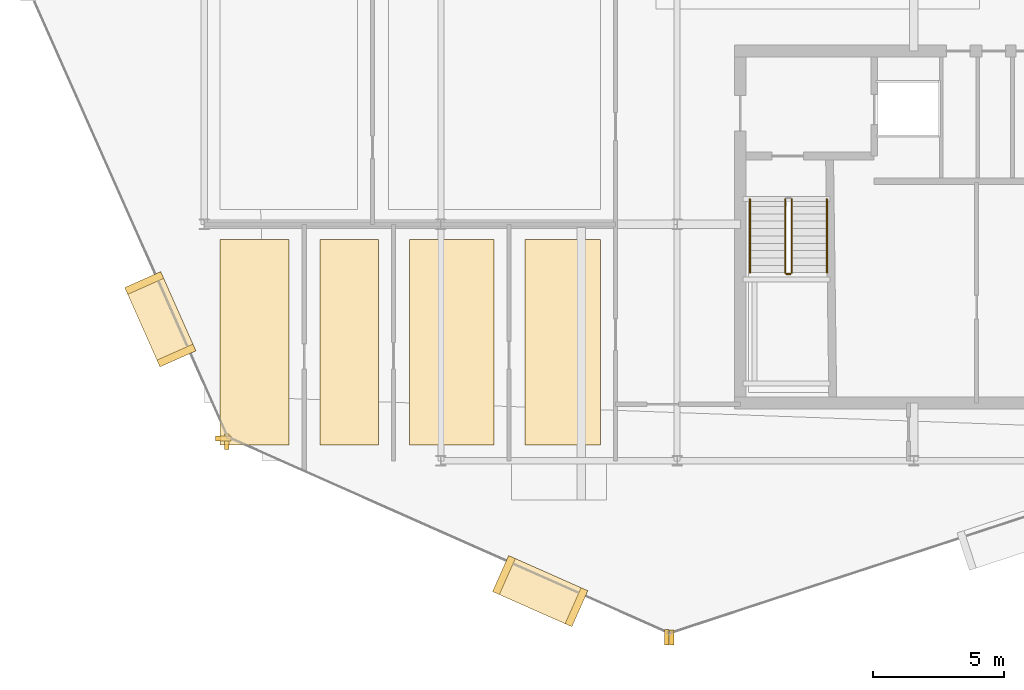
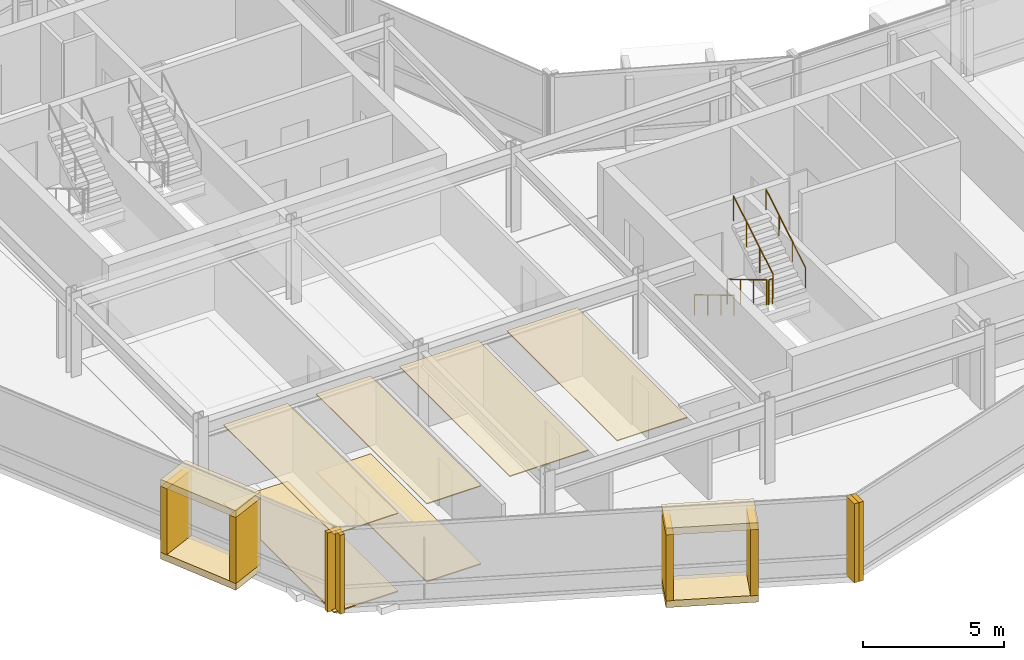
# One storey, part 22 of 27: 18 coverings, 5 railings.
"""IFC4 building model written with IfcOpenShell, lengths in metres."""

from ifc_helpers import new_model, si_unit, direction, frame, origin, origin_2d, place, context, subcontext, project, spatial, polyline, rectangle, circle, outline, extrude, material, layer, layer_set, type_object, element, save


model = new_model("IFC4")

# Units and contexts
model_context = context("Model", 3, precision=1e-05, world=origin(), true_north=direction((0.0, 1.0)))
body_context = subcontext(model_context, "Body", "Model", "MODEL_VIEW")
ifc_project = project(units=[si_unit("LENGTHUNIT", "METRE"), si_unit("AREAUNIT", "SQUARE_METRE"), si_unit("VOLUMEUNIT", "CUBIC_METRE"), si_unit("PLANEANGLEUNIT", "RADIAN"), si_unit("MASSUNIT", "GRAM", prefix="KILO")], contexts=[model_context])

# Site, building, storey
site_placement = place(None, origin())
site = spatial("IfcSite", under=ifc_project, at=site_placement, CompositionType="ELEMENT")
building_placement = place(site_placement, origin())
building = spatial("IfcBuilding", under=site, at=building_placement, Name="Solvaryn Broadcast Tower", CompositionType="ELEMENT")
storey_placement = place(building_placement, frame((0.0, 0.0, 228.39990234375)))
storey = spatial("IfcBuildingStorey", under=building, at=storey_placement, Name="L57", CompositionType="ELEMENT", Elevation=228.39990234375)

# Coverings
ifc_material_1 = material(Name="Micro-Perforated Acoustic Gypsum Ceiling", Category="concrete")
ifc_layer_1 = layer(ifc_material_1, 0.0400390625)
ifc_layer_set_1 = layer_set([ifc_layer_1], Name="CV-CEIL-ACOUSTIC")
covering_type_1 = type_object("IfcCoveringType", Name="CV-CEIL-ACOUSTIC", PredefinedType="CEILING", material=ifc_layer_set_1)
covering_1_placement = place(storey_placement, frame((0.0, 0.0, 3.380126953125)))
element("IfcCovering", 1, at=covering_1_placement, inside=storey, type_object=covering_type_1, Name="L57 Room Acoustic Ceiling 3", PredefinedType="CEILING", context=body_context, shape_type="SweptSolid", body=[
    extrude(outline(polyline([(9.60009765625, 9.60009765625), (12.22998046875, 9.60009765625), (12.22998046875, 17.429931640625), (9.60009765625, 17.429931640625), (9.60009765625, 9.60009765625)])), origin(), (0.0, 0.0, 1.0), 0.0400390625),
])
covering_2_placement = place(storey_placement, frame((0.0, 0.0, 3.380126953125)))
element("IfcCovering", 2, at=covering_2_placement, inside=storey, type_object=covering_type_1, Name="L57 Room Acoustic Ceiling 4", PredefinedType="CEILING", context=body_context, shape_type="SweptSolid", body=[
    extrude(outline(polyline([(13.39990234375, 9.60009765625), (15.6298828125, 9.60009765625), (15.6298828125, 17.429931640625), (13.39990234375, 17.429931640625), (13.39990234375, 9.60009765625)])), origin(), (0.0, 0.0, 1.0), 0.0400390625),
])
covering_3_placement = place(storey_placement, frame((0.0, 0.0, 3.380126953125)))
element("IfcCovering", 3, at=covering_3_placement, inside=storey, type_object=covering_type_1, Name="L57 Room Acoustic Ceiling 5", PredefinedType="CEILING", context=body_context, shape_type="SweptSolid", body=[
    extrude(outline(polyline([(16.800048828125, 9.60009765625), (20.030029296875, 9.60009765625), (20.030029296875, 17.429931640625), (16.800048828125, 17.429931640625), (16.800048828125, 9.60009765625)])), origin(), (0.0, 0.0, 1.0), 0.0400390625),
])
covering_4_placement = place(storey_placement, frame((0.0, 0.0, 3.380126953125)))
element("IfcCovering", 4, at=covering_4_placement, inside=storey, type_object=covering_type_1, Name="L57 Room Acoustic Ceiling 6", PredefinedType="CEILING", context=body_context, shape_type="SweptSolid", body=[
    extrude(outline(polyline([(21.199951171875, 9.60009765625), (24.080078125, 9.60009765625), (24.080078125, 17.429931640625), (21.199951171875, 17.429931640625), (21.199951171875, 9.60009765625)])), origin(), (0.0, 0.0, 1.0), 0.0400390625),
])
ifc_material_2 = material(Name="Newsroom Raised Data Access Flooring", Category="steel")
ifc_layer_2 = layer(ifc_material_2, 0.050048828125)
ifc_layer_set_2 = layer_set([ifc_layer_2], Name="CV-FLOOR-RAISED")
covering_type_2 = type_object("IfcCoveringType", Name="CV-FLOOR-RAISED", PredefinedType="FLOORING", material=ifc_layer_set_2)
covering_5_placement = place(storey_placement, origin())
element("IfcCovering", 5, at=covering_5_placement, inside=storey, type_object=covering_type_2, Name="L57 Room Acoustic Floor Finish 3", PredefinedType="FLOORING", context=body_context, shape_type="SweptSolid", body=[
    extrude(outline(polyline([(9.60009765625, 9.60009765625), (12.22998046875, 9.60009765625), (12.22998046875, 17.429931640625), (9.60009765625, 17.429931640625), (9.60009765625, 9.60009765625)])), origin(), (0.0, 0.0, 1.0), 0.050048828125),
])
covering_6_placement = place(storey_placement, origin())
element("IfcCovering", 6, at=covering_6_placement, inside=storey, type_object=covering_type_2, Name="L57 Room Acoustic Floor Finish 4", PredefinedType="FLOORING", context=body_context, shape_type="SweptSolid", body=[
    extrude(outline(polyline([(13.39990234375, 9.60009765625), (15.6298828125, 9.60009765625), (15.6298828125, 17.429931640625), (13.39990234375, 17.429931640625), (13.39990234375, 9.60009765625)])), origin(), (0.0, 0.0, 1.0), 0.050048828125),
])
ifc_material_3 = material(Name="Glazed Architectural Terracotta Rainscreen Cladding", Category="masonry")
ifc_layer_3 = layer(ifc_material_3, 0.280029296875)
ifc_layer_set_3 = layer_set([ifc_layer_3], Name="CV-TC-CLAD")
covering_type_3 = type_object("IfcCoveringType", Name="CV-TC-CLAD", PredefinedType="CLADDING", material=ifc_layer_set_3)
for number, where, z_axis, x_axis, name in (
    (7, (7.322998046875, 14.388916015625, 3.1298828125), (0.0, 0.0, 1.0), (0.405939269498, -0.913900054426, 0.0), "L57 Projecting Stone Window Box Hood 2"),
    (8, (7.322998046875, 14.388916015625, -0.009765625), (0.0, 0.0, 1.0), (0.405939269498, -0.913900054426, 0.0), "L57 Projecting Stone Window Box Sill 2"),
):
    element("IfcCovering", number, at=place(storey_placement, frame(where, z_axis=z_axis, x_axis=x_axis)), inside=storey, type_object=covering_type_3, Name=name, PredefinedType="CLADDING", context=body_context, shape_type="SweptSolid", body=[
        extrude(rectangle(XDim=3.300048828125, YDim=1.5, at=origin_2d()), origin(), (0.0, 0.0, 1.0), 0.300048828125),
    ])
for number, where, z_axis, x_axis, name in (
    (9, (6.7099609375, 15.76904296875, 0.2802734375), (0.0, 0.0, 1.0), (0.405939269498, -0.913900054426, 0.0), "L57 Projecting Stone Window Box Cheek 2-1"),
    (10, (7.93603515625, 13.009033203125, 0.2802734375), (0.0, 0.0, 1.0), (0.405939269498, -0.913900054426, 0.0), "L57 Projecting Stone Window Box Cheek 2-2"),
):
    element("IfcCovering", number, at=place(storey_placement, frame(where, z_axis=z_axis, x_axis=x_axis)), inside=storey, type_object=covering_type_3, Name=name, PredefinedType="CLADDING", context=body_context, shape_type="SweptSolid", body=[
        extrude(rectangle(XDim=0.280029296875, YDim=1.5, at=origin_2d()), origin(), (0.0, 0.0, 1.0), 2.860107421875),
    ])
for number, where, z_axis, x_axis, name in (
    (11, (21.784912109375, 4.0390625, 3.1298828125), (0.0, 0.0, 1.0), (0.913900054426, -0.405939269498, 0.0), "L57 Projecting Stone Window Box Hood 3"),
    (12, (21.784912109375, 4.0390625, -0.009765625), (0.0, 0.0, 1.0), (0.913900054426, -0.405939269498, 0.0), "L57 Projecting Stone Window Box Sill 3"),
):
    element("IfcCovering", number, at=place(storey_placement, frame(where, z_axis=z_axis, x_axis=x_axis)), inside=storey, type_object=covering_type_3, Name=name, PredefinedType="CLADDING", context=body_context, shape_type="SweptSolid", body=[
        extrude(rectangle(XDim=3.300048828125, YDim=1.5, at=origin_2d()), origin(), (0.0, 0.0, 1.0), 0.300048828125),
    ])
for number, where, z_axis, x_axis, name in (
    (13, (20.405029296875, 4.652099609375, 0.2802734375), (0.0, 0.0, 1.0), (0.913900054426, -0.405939269498, 0.0), "L57 Projecting Stone Window Box Cheek 3-1"),
    (14, (23.1650390625, 3.426025390625, 0.2802734375), (0.0, 0.0, 1.0), (0.913900054426, -0.405939269498, 0.0), "L57 Projecting Stone Window Box Cheek 3-2"),
):
    element("IfcCovering", number, at=place(storey_placement, frame(where, z_axis=z_axis, x_axis=x_axis)), inside=storey, type_object=covering_type_3, Name=name, PredefinedType="CLADDING", context=body_context, shape_type="SweptSolid", body=[
        extrude(rectangle(XDim=0.280029296875, YDim=1.5, at=origin_2d()), origin(), (0.0, 0.0, 1.0), 2.860107421875),
    ])
ifc_material_4 = material(Name="Extruded Architectural Terracotta Fin", Category="masonry")
ifc_layer_4 = layer(ifc_material_4, 0.179931640625)
ifc_layer_set_4 = layer_set([ifc_layer_4], Name="CV-TC-FIN")
covering_type_4 = type_object("IfcCoveringType", Name="CV-TC-FIN", PredefinedType="USERDEFINED", material=ifc_layer_set_4)
covering_7_placement = place(storey_placement, frame((9.7216796875, 9.852783203125, 0.000244140625), z_axis=(0.0, 0.0, 1.0), x_axis=(1.0, 0.0, 0.0)))
element("IfcCovering", 15, at=covering_7_placement, inside=storey, type_object=covering_type_4, Name="L57 Terracotta Vertical Fin FIN-L57-DR2-M01", ObjectType="FIN", PredefinedType="USERDEFINED", context=body_context, shape_type="SweptSolid", body=[
    extrude(rectangle(XDim=0.580078125, YDim=0.179931640625, at=origin_2d()), origin(), (0.0, 0.0, 1.0), 3.419921875),
])
for number, where, z_axis, x_axis, name in (
    (16, (9.852783203125, 9.7216796875, 0.000244140625), (0.0, 0.0, 1.0), (1.0, 0.0, 0.0), "L57 Terracotta Vertical Fin FIN-L57-DR3-M00"),
    (17, (26.605712890625, 2.281005859375, 0.000244140625), (0.0, 0.0, 1.0), (1.0, 0.0, 0.0), "L57 Terracotta Vertical Fin FIN-L57-DR3-M01"),
    (18, (26.790771484375, 2.271240234375, 0.000244140625), (0.0, 0.0, 1.0), (1.0, 0.0, 0.0), "L57 Terracotta Vertical Fin FIN-L57-DR4-M00"),
):
    element("IfcCovering", number, at=place(storey_placement, frame(where, z_axis=z_axis, x_axis=x_axis)), inside=storey, type_object=covering_type_4, Name=name, ObjectType="FIN", PredefinedType="USERDEFINED", context=body_context, shape_type="SweptSolid", body=[
        extrude(rectangle(XDim=0.179931640625, YDim=0.580078125, at=origin_2d()), origin(), (0.0, 0.0, 1.0), 3.419921875),
    ])

# Railings
ifc_material_5 = material(Name="Painted Steel Stair Well Guard", Category="steel")
railing_type_1 = type_object("IfcRailingType", Name="RL-STAIR-GUARD", PredefinedType="BALUSTRADE", material=ifc_material_5)
railing_1_placement = place(storey_placement, frame((31.110107421875, 18.9599609375, 0.168212890625)))
element("IfcRailing", 19, at=railing_1_placement, inside=storey, type_object=railing_type_1, Name="L57 ST3 stair guard 1", PredefinedType="BALUSTRADE", context=body_context, shape_type="SweptSolid", body=[
    extrude(circle(Radius=0.02392578125, at=origin_2d()), frame((0.0, 0.0, 1.076171875), z_axis=(0.0, -0.857242210791, 0.514913383045), x_axis=(1.0, 0.0, 0.0)), (0.0, 0.0, 1.0), 3.266357421875),
    extrude(circle(Radius=0.02099609375, at=origin_2d()), origin(), (0.0, 0.0, 1.0), 1.052001953125),
    extrude(circle(Radius=0.02099609375, at=origin_2d()), frame((0.0, -0.933349609375, 0.560546875)), (0.0, 0.0, 1.0), 1.052001953125),
    extrude(circle(Radius=0.02099609375, at=origin_2d()), frame((0.0, -1.86669921875, 1.121337890625)), (0.0, 0.0, 1.0), 1.052001953125),
    extrude(circle(Radius=0.02099609375, at=origin_2d()), frame((0.0, -2.800048828125, 1.681884765625)), (0.0, 0.0, 1.0), 1.052001953125),
])
railing_2_placement = place(storey_placement, frame((31.159912109375, 16.110107421875, 1.85009765625)))
element("IfcRailing", 20, at=railing_2_placement, inside=storey, type_object=railing_type_1, Name="L57 ST3 stair guard 2", PredefinedType="BALUSTRADE", context=body_context, shape_type="SweptSolid", body=[
    extrude(circle(Radius=0.02392578125, at=origin_2d()), frame((0.0, 0.0, 1.076171875), z_axis=(1.0, 0.0, 0.0), x_axis=(0.0, 1.0, 0.0)), (0.0, 0.0, 1.0), 0.150146484375),
    extrude(circle(Radius=0.02099609375, at=origin_2d()), origin(), (0.0, 0.0, 1.0), 1.052001953125),
    extrude(circle(Radius=0.02099609375, at=origin_2d()), frame((0.150146484375, 0.0, 0.0)), (0.0, 0.0, 1.0), 1.052001953125),
])
railing_3_placement = place(storey_placement, frame((31.360107421875, 16.159912109375, 2.018310546875)))
element("IfcRailing", 21, at=railing_3_placement, inside=storey, type_object=railing_type_1, Name="L57 ST3 stair guard 3", PredefinedType="BALUSTRADE", context=body_context, shape_type="SweptSolid", body=[
    extrude(circle(Radius=0.02392578125, at=origin_2d()), frame((0.0, 0.0, 1.076171875), z_axis=(0.0, 0.857242210791, 0.514913383045), x_axis=(-1.0, 0.0, 0.0)), (0.0, 0.0, 1.0), 3.266357421875),
    extrude(circle(Radius=0.02099609375, at=origin_2d()), origin(), (0.0, 0.0, 1.0), 1.052001953125),
    extrude(circle(Radius=0.02099609375, at=origin_2d()), frame((0.0, 0.933349609375, 0.560546875)), (0.0, 0.0, 1.0), 1.052001953125),
    extrude(circle(Radius=0.02099609375, at=origin_2d()), frame((0.0, 1.86669921875, 1.121337890625)), (0.0, 0.0, 1.0), 1.052001953125),
    extrude(circle(Radius=0.02099609375, at=origin_2d()), frame((0.0, 2.800048828125, 1.681884765625)), (0.0, 0.0, 1.0), 1.052001953125),
])
ifc_material_6 = material(Name="Brushed Stainless Steel Tubular Handrail", Category="steel")
railing_type_2 = type_object("IfcRailingType", Name="RL-STAIR-HANDRAIL", PredefinedType="HANDRAIL", material=ifc_material_6)
railing_4_placement = place(storey_placement, frame((29.77001953125, 18.9599609375, 0.168212890625)))
element("IfcRailing", 22, at=railing_4_placement, inside=storey, type_object=railing_type_2, Name="L57 ST3 stair handrail 1", PredefinedType="HANDRAIL", context=body_context, shape_type="SweptSolid", body=[
    extrude(circle(Radius=0.02392578125, at=origin_2d()), frame((0.0, 0.0, 0.8759765625), z_axis=(0.0, -0.857242210791, 0.514913383045), x_axis=(1.0, 0.0, 0.0)), (0.0, 0.0, 1.0), 3.266357421875),
    extrude(circle(Radius=0.02099609375, at=origin_2d()), origin(), (0.0, 0.0, 1.0), 0.851806640625),
    extrude(circle(Radius=0.02099609375, at=origin_2d()), frame((0.0, -0.933349609375, 0.560546875)), (0.0, 0.0, 1.0), 0.851806640625),
    extrude(circle(Radius=0.02099609375, at=origin_2d()), frame((0.0, -1.86669921875, 1.121337890625)), (0.0, 0.0, 1.0), 0.851806640625),
    extrude(circle(Radius=0.02099609375, at=origin_2d()), frame((0.0, -2.800048828125, 1.681884765625)), (0.0, 0.0, 1.0), 0.851806640625),
])
railing_5_placement = place(storey_placement, frame((32.699951171875, 16.159912109375, 2.018310546875)))
element("IfcRailing", 23, at=railing_5_placement, inside=storey, type_object=railing_type_2, Name="L57 ST3 stair handrail 2", PredefinedType="HANDRAIL", context=body_context, shape_type="SweptSolid", body=[
    extrude(circle(Radius=0.02392578125, at=origin_2d()), frame((0.0, 0.0, 0.8759765625), z_axis=(0.0, 0.857242210791, 0.514913383045), x_axis=(-1.0, 0.0, 0.0)), (0.0, 0.0, 1.0), 3.266357421875),
    extrude(circle(Radius=0.02099609375, at=origin_2d()), origin(), (0.0, 0.0, 1.0), 0.851806640625),
    extrude(circle(Radius=0.02099609375, at=origin_2d()), frame((0.0, 0.933349609375, 0.560546875)), (0.0, 0.0, 1.0), 0.851806640625),
    extrude(circle(Radius=0.02099609375, at=origin_2d()), frame((0.0, 1.86669921875, 1.121337890625)), (0.0, 0.0, 1.0), 0.851806640625),
    extrude(circle(Radius=0.02099609375, at=origin_2d()), frame((0.0, 2.800048828125, 1.681884765625)), (0.0, 0.0, 1.0), 0.851806640625),
])

save(model, "model.ifc")
